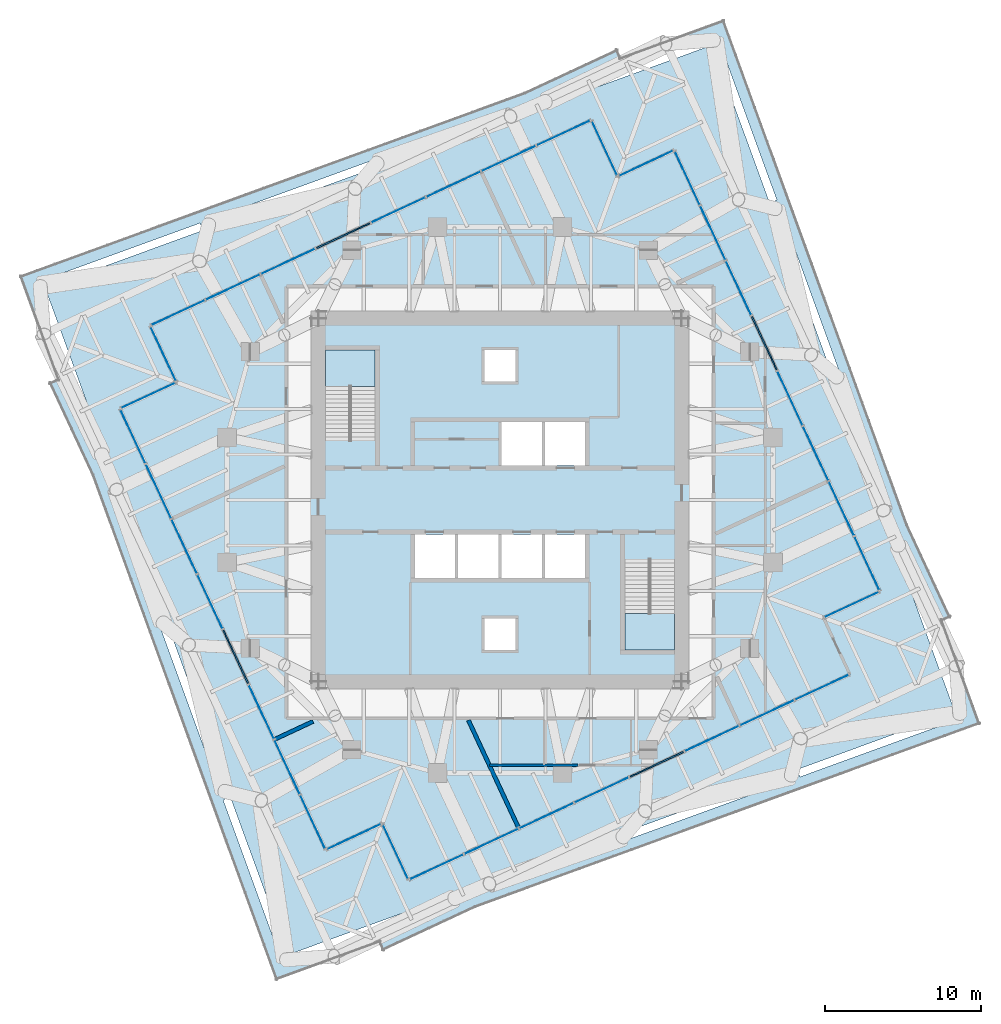
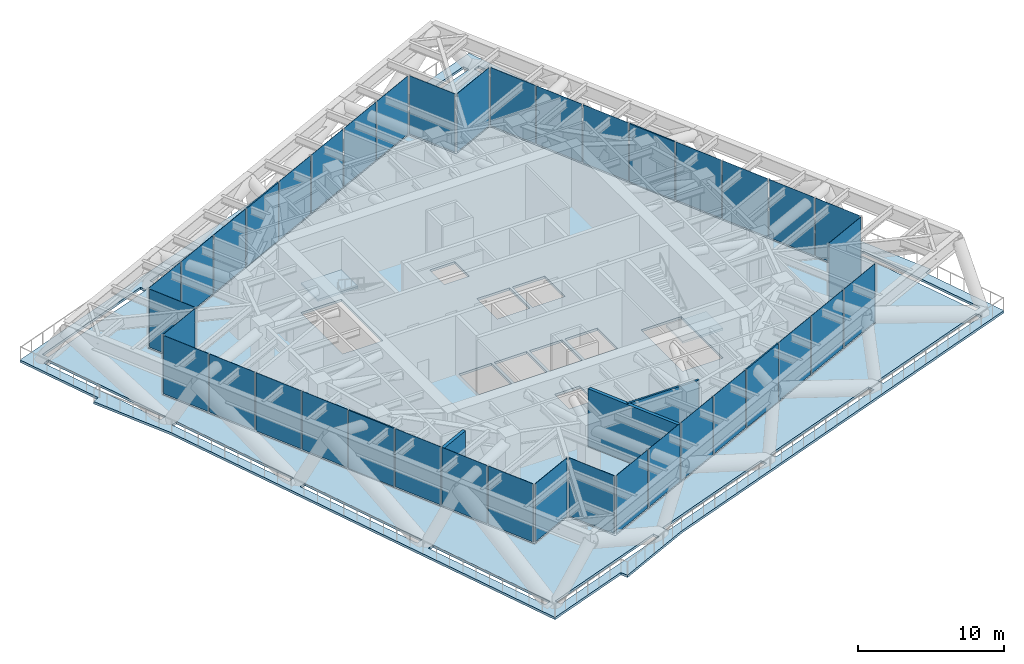
# One storey, part 8 of 16: 39 plates, 4 slabs, 3 walls, 13 elements without a shape of their own.
"""IFC4 building model written with IfcOpenShell, lengths in metres."""

from ifc_helpers import new_model, si_unit, direction, frame, frame_2d, origin, origin_2d, place, context, subcontext, project, spatial, polyline, rectangle, outline, extrude, material, layer, layer_set, type_object, element, aggregate, save


model = new_model("IFC4")

# Units and contexts
model_context = context("Model", 3, precision=1e-05, world=origin(), true_north=direction((0.0, 1.0)))
body_context = subcontext(model_context, "Body", "Model", "MODEL_VIEW")
ifc_project = project(units=[si_unit("LENGTHUNIT", "METRE"), si_unit("AREAUNIT", "SQUARE_METRE"), si_unit("VOLUMEUNIT", "CUBIC_METRE"), si_unit("PLANEANGLEUNIT", "RADIAN"), si_unit("MASSUNIT", "GRAM", prefix="KILO")], contexts=[model_context])

# Site, building, storey
site_placement = place(None, origin())
site = spatial("IfcSite", under=ifc_project, at=site_placement, CompositionType="ELEMENT")
building_placement = place(site_placement, origin())
building = spatial("IfcBuilding", under=site, at=building_placement, Name="Torsade Residences", CompositionType="ELEMENT")
storey_placement = place(building_placement, frame((0.0, 0.0, 171.0)))
storey = spatial("IfcBuildingStorey", under=building, at=storey_placement, Name="L47", CompositionType="ELEMENT", Elevation=171.0)

# Curtain wall, plates
ifc_material_1 = material(Name="Aluminium and glass", Category="aluminium")
curtain_wall_type = type_object("IfcCurtainWallType", Name="TRANSFER LEVEL CURTAIN WALL LOW ZONE", PredefinedType="NOTDEFINED", material=ifc_material_1)
curtain_wall_1_placement = place(storey_placement, origin())
curtain_wall_1 = element("IfcCurtainWall", 1, at=curtain_wall_1_placement, inside=storey, type_object=curtain_wall_type, Name="Curtain wall L47 face 1", PredefinedType="NOTDEFINED")
ifc_material_2 = material(Name="Laminated glass", Category="glass")
ifc_layer_1 = layer(ifc_material_2, 0.02392578125)
ifc_layer_set_1 = layer_set([ifc_layer_1], Name="Laminated glass")
plate_type_1 = type_object("IfcPlateType", Name="CLEAR GLASS PANEL", PredefinedType="CURTAIN_PANEL", material=ifc_layer_set_1)
plate_1_placement = place(storey_placement, frame((35.934814453125, 6.478271484375, 0.1201171875), z_axis=(0.0, 0.0, 1.0), x_axis=(0.906307784426, 0.42261826734, 0.0)))
plate_1 = element("IfcPlate", 2, at=plate_1_placement, type_object=plate_type_1, Name="Panel 1", PredefinedType="CURTAIN_PANEL", context=body_context, shape_type="SweptSolid", body=[
    extrude(rectangle(XDim=3.75, YDim=0.02392578125, at=origin_2d()), origin(), (0.0, 0.0, 1.0), 4.8798828125),
])
plate_2_placement = place(storey_placement, frame((39.44677734375, 8.11572265625, 0.1201171875), z_axis=(0.0, 0.0, 1.0), x_axis=(0.906307784426, 0.42261826734, 0.0)))
plate_2 = element("IfcPlate", 3, at=plate_2_placement, type_object=plate_type_1, Name="Panel 2", PredefinedType="CURTAIN_PANEL", context=body_context, shape_type="SweptSolid", body=[
    extrude(rectangle(XDim=3.800048828125, YDim=0.02392578125, at=origin_2d()), origin(), (0.0, 0.0, 1.0), 4.8798828125),
])
plate_3_placement = place(storey_placement, frame((42.9814453125, 9.76416015625, 0.1201171875), z_axis=(0.0, 0.0, 1.0), x_axis=(0.906307784426, 0.42261826734, 0.0)))
plate_3 = element("IfcPlate", 4, at=plate_3_placement, type_object=plate_type_1, Name="Panel 3", PredefinedType="CURTAIN_PANEL", context=body_context, shape_type="SweptSolid", body=[
    extrude(rectangle(XDim=3.800048828125, YDim=0.02392578125, at=origin_2d()), origin(), (0.0, 0.0, 1.0), 4.8798828125),
])
plate_4_placement = place(storey_placement, frame((46.51611328125, 11.412353515625, 0.1201171875), z_axis=(0.0, 0.0, 1.0), x_axis=(0.906307784426, 0.42261826734, 0.0)))
plate_4 = element("IfcPlate", 5, at=plate_4_placement, type_object=plate_type_1, Name="Panel 4", PredefinedType="CURTAIN_PANEL", context=body_context, shape_type="SweptSolid", body=[
    extrude(rectangle(XDim=3.800048828125, YDim=0.02392578125, at=origin_2d()), origin(), (0.0, 0.0, 1.0), 4.8798828125),
])
plate_5_placement = place(storey_placement, frame((53.585205078125, 14.708740234375, 0.1201171875), z_axis=(0.0, 0.0, 1.0), x_axis=(0.906307784426, 0.42261826734, 0.0)))
plate_5 = element("IfcPlate", 6, at=plate_5_placement, type_object=plate_type_1, Name="Panel 6", PredefinedType="CURTAIN_PANEL", context=body_context, shape_type="SweptSolid", body=[
    extrude(rectangle(XDim=3.800048828125, YDim=0.02392578125, at=origin_2d()), origin(), (0.0, 0.0, 1.0), 4.8798828125),
])
plate_6_placement = place(storey_placement, frame((57.119873046875, 16.35693359375, 0.1201171875), z_axis=(0.0, 0.0, 1.0), x_axis=(0.906307784426, 0.42261826734, 0.0)))
plate_6 = element("IfcPlate", 7, at=plate_6_placement, type_object=plate_type_1, Name="Panel 7", PredefinedType="CURTAIN_PANEL", context=body_context, shape_type="SweptSolid", body=[
    extrude(rectangle(XDim=3.800048828125, YDim=0.02392578125, at=origin_2d()), origin(), (0.0, 0.0, 1.0), 4.8798828125),
])
plate_7_placement = place(storey_placement, frame((60.6318359375, 17.99462890625, 0.1201171875), z_axis=(0.0, 0.0, 1.0), x_axis=(0.906307784426, 0.42261826734, 0.0)))
plate_7 = element("IfcPlate", 8, at=plate_7_placement, type_object=plate_type_1, Name="Panel 8", PredefinedType="CURTAIN_PANEL", context=body_context, shape_type="SweptSolid", body=[
    extrude(rectangle(XDim=3.75, YDim=0.02392578125, at=origin_2d()), origin(), (0.0, 0.0, 1.0), 4.8798828125),
])

# Curtain wall, plate
curtain_wall_2_placement = place(storey_placement, origin())
curtain_wall_2 = element("IfcCurtainWall", 9, at=curtain_wall_2_placement, inside=storey, type_object=curtain_wall_type, Name="Curtain wall L47 face 3", PredefinedType="NOTDEFINED")
plate_8_placement = place(storey_placement, frame((62.5439453125, 23.299560546875, 0.1201171875), z_axis=(0.0, 0.0, 1.0), x_axis=(0.906307829567, 0.422618170534, 0.0)))
plate_8 = element("IfcPlate", 10, at=plate_8_placement, type_object=plate_type_1, Name="Panel 1", PredefinedType="CURTAIN_PANEL", context=body_context, shape_type="SweptSolid", body=[
    extrude(rectangle(XDim=3.800048828125, YDim=0.02392578125, at=origin_2d()), origin(), (0.0, 0.0, 1.0), 4.8798828125),
])
aggregate(curtain_wall_2, [plate_8])

# Curtain wall, plates
curtain_wall_3_placement = place(storey_placement, origin())
curtain_wall_3 = element("IfcCurtainWall", 11, at=curtain_wall_3_placement, inside=storey, type_object=curtain_wall_type, Name="Curtain wall L47 face 4", PredefinedType="NOTDEFINED")
plate_9_placement = place(storey_placement, frame((63.521728515625, 25.934814453125, 0.1201171875), z_axis=(0.0, 0.0, 1.0), x_axis=(-0.42261826734, 0.906307784426, 0.0)))
plate_9 = element("IfcPlate", 12, at=plate_9_placement, type_object=plate_type_1, Name="Panel 1", PredefinedType="CURTAIN_PANEL", context=body_context, shape_type="SweptSolid", body=[
    extrude(rectangle(XDim=3.75, YDim=0.02392578125, at=origin_2d()), origin(), (0.0, 0.0, 1.0), 4.8798828125),
])
plate_10_placement = place(storey_placement, frame((61.88427734375, 29.44677734375, 0.1201171875), z_axis=(0.0, 0.0, 1.0), x_axis=(-0.42261826734, 0.906307784426, 0.0)))
plate_10 = element("IfcPlate", 13, at=plate_10_placement, type_object=plate_type_1, Name="Panel 2", PredefinedType="CURTAIN_PANEL", context=body_context, shape_type="SweptSolid", body=[
    extrude(rectangle(XDim=3.800048828125, YDim=0.02392578125, at=origin_2d()), origin(), (0.0, 0.0, 1.0), 4.8798828125),
])
plate_11_placement = place(storey_placement, frame((60.23583984375, 32.9814453125, 0.1201171875), z_axis=(0.0, 0.0, 1.0), x_axis=(-0.42261826734, 0.906307784426, 0.0)))
plate_11 = element("IfcPlate", 14, at=plate_11_placement, type_object=plate_type_1, Name="Panel 3", PredefinedType="CURTAIN_PANEL", context=body_context, shape_type="SweptSolid", body=[
    extrude(rectangle(XDim=3.800048828125, YDim=0.02392578125, at=origin_2d()), origin(), (0.0, 0.0, 1.0), 4.8798828125),
])
plate_12_placement = place(storey_placement, frame((58.587646484375, 36.51611328125, 0.1201171875), z_axis=(0.0, 0.0, 1.0), x_axis=(-0.42261826734, 0.906307784426, 0.0)))
plate_12 = element("IfcPlate", 15, at=plate_12_placement, type_object=plate_type_1, Name="Panel 4", PredefinedType="CURTAIN_PANEL", context=body_context, shape_type="SweptSolid", body=[
    extrude(rectangle(XDim=3.800048828125, YDim=0.02392578125, at=origin_2d()), origin(), (0.0, 0.0, 1.0), 4.8798828125),
])
plate_13_placement = place(storey_placement, frame((55.291259765625, 43.585205078125, 0.1201171875), z_axis=(0.0, 0.0, 1.0), x_axis=(-0.42261826734, 0.906307784426, 0.0)))
plate_13 = element("IfcPlate", 16, at=plate_13_placement, type_object=plate_type_1, Name="Panel 6", PredefinedType="CURTAIN_PANEL", context=body_context, shape_type="SweptSolid", body=[
    extrude(rectangle(XDim=3.800048828125, YDim=0.02392578125, at=origin_2d()), origin(), (0.0, 0.0, 1.0), 4.8798828125),
])
plate_14_placement = place(storey_placement, frame((53.64306640625, 47.119873046875, 0.1201171875), z_axis=(0.0, 0.0, 1.0), x_axis=(-0.42261826734, 0.906307784426, 0.0)))
plate_14 = element("IfcPlate", 17, at=plate_14_placement, type_object=plate_type_1, Name="Panel 7", PredefinedType="CURTAIN_PANEL", context=body_context, shape_type="SweptSolid", body=[
    extrude(rectangle(XDim=3.800048828125, YDim=0.02392578125, at=origin_2d()), origin(), (0.0, 0.0, 1.0), 4.8798828125),
])
plate_15_placement = place(storey_placement, frame((52.00537109375, 50.6318359375, 0.1201171875), z_axis=(0.0, 0.0, 1.0), x_axis=(-0.42261826734, 0.906307784426, 0.0)))
plate_15 = element("IfcPlate", 18, at=plate_15_placement, type_object=plate_type_1, Name="Panel 8", PredefinedType="CURTAIN_PANEL", context=body_context, shape_type="SweptSolid", body=[
    extrude(rectangle(XDim=3.75, YDim=0.02392578125, at=origin_2d()), origin(), (0.0, 0.0, 1.0), 4.8798828125),
])

# Curtain wall, plate
curtain_wall_4_placement = place(storey_placement, origin())
curtain_wall_4 = element("IfcCurtainWall", 19, at=curtain_wall_4_placement, inside=storey, type_object=curtain_wall_type, Name="Curtain wall L47 face 5", PredefinedType="NOTDEFINED")
plate_16_placement = place(storey_placement, frame((49.358154296875, 51.576416015625, 0.1201171875), z_axis=(0.0, 0.0, 1.0), x_axis=(-0.90630778492, -0.42261826628, 0.0)))
plate_16 = element("IfcPlate", 20, at=plate_16_placement, type_object=plate_type_1, Name="Panel 1", PredefinedType="CURTAIN_PANEL", context=body_context, shape_type="SweptSolid", body=[
    extrude(rectangle(XDim=3.800048828125, YDim=0.02392578125, at=origin_2d()), origin(), (0.0, 0.0, 1.0), 4.8798828125),
])
aggregate(curtain_wall_4, [plate_16])

curtain_wall_5_placement = place(storey_placement, origin())
curtain_wall_5 = element("IfcCurtainWall", 21, at=curtain_wall_5_placement, inside=storey, type_object=curtain_wall_type, Name="Curtain wall L47 face 6", PredefinedType="NOTDEFINED")
plate_17_placement = place(storey_placement, frame((46.700439453125, 52.5439453125, 0.1201171875), z_axis=(0.0, 0.0, 1.0), x_axis=(-0.422618170534, 0.906307829567, 0.0)))
plate_17 = element("IfcPlate", 22, at=plate_17_placement, type_object=plate_type_1, Name="Panel 1", PredefinedType="CURTAIN_PANEL", context=body_context, shape_type="SweptSolid", body=[
    extrude(rectangle(XDim=3.800048828125, YDim=0.02392578125, at=origin_2d()), origin(), (0.0, 0.0, 1.0), 4.8798828125),
])
aggregate(curtain_wall_5, [plate_17])

# Curtain wall, plates
curtain_wall_6_placement = place(storey_placement, origin())
curtain_wall_6 = element("IfcCurtainWall", 23, at=curtain_wall_6_placement, inside=storey, type_object=curtain_wall_type, Name="Curtain wall L47 face 7", PredefinedType="NOTDEFINED")
plate_18_placement = place(storey_placement, frame((44.065185546875, 53.521728515625, 0.1201171875), z_axis=(0.0, 0.0, 1.0), x_axis=(-0.906307784426, -0.42261826734, 0.0)))
plate_18 = element("IfcPlate", 24, at=plate_18_placement, type_object=plate_type_1, Name="Panel 1", PredefinedType="CURTAIN_PANEL", context=body_context, shape_type="SweptSolid", body=[
    extrude(rectangle(XDim=3.75, YDim=0.02392578125, at=origin_2d()), origin(), (0.0, 0.0, 1.0), 4.8798828125),
])
plate_19_placement = place(storey_placement, frame((40.55322265625, 51.88427734375, 0.1201171875), z_axis=(0.0, 0.0, 1.0), x_axis=(-0.906307784426, -0.42261826734, 0.0)))
plate_19 = element("IfcPlate", 25, at=plate_19_placement, type_object=plate_type_1, Name="Panel 2", PredefinedType="CURTAIN_PANEL", context=body_context, shape_type="SweptSolid", body=[
    extrude(rectangle(XDim=3.800048828125, YDim=0.02392578125, at=origin_2d()), origin(), (0.0, 0.0, 1.0), 4.8798828125),
])
plate_20_placement = place(storey_placement, frame((37.0185546875, 50.23583984375, 0.1201171875), z_axis=(0.0, 0.0, 1.0), x_axis=(-0.906307784426, -0.42261826734, 0.0)))
plate_20 = element("IfcPlate", 26, at=plate_20_placement, type_object=plate_type_1, Name="Panel 3", PredefinedType="CURTAIN_PANEL", context=body_context, shape_type="SweptSolid", body=[
    extrude(rectangle(XDim=3.800048828125, YDim=0.02392578125, at=origin_2d()), origin(), (0.0, 0.0, 1.0), 4.8798828125),
])
plate_21_placement = place(storey_placement, frame((33.48388671875, 48.587646484375, 0.1201171875), z_axis=(0.0, 0.0, 1.0), x_axis=(-0.906307784426, -0.42261826734, 0.0)))
plate_21 = element("IfcPlate", 27, at=plate_21_placement, type_object=plate_type_1, Name="Panel 4", PredefinedType="CURTAIN_PANEL", context=body_context, shape_type="SweptSolid", body=[
    extrude(rectangle(XDim=3.800048828125, YDim=0.02392578125, at=origin_2d()), origin(), (0.0, 0.0, 1.0), 4.8798828125),
])
plate_22_placement = place(storey_placement, frame((26.414794921875, 45.291259765625, 0.1201171875), z_axis=(0.0, 0.0, 1.0), x_axis=(-0.906307784426, -0.42261826734, 0.0)))
plate_22 = element("IfcPlate", 28, at=plate_22_placement, type_object=plate_type_1, Name="Panel 6", PredefinedType="CURTAIN_PANEL", context=body_context, shape_type="SweptSolid", body=[
    extrude(rectangle(XDim=3.800048828125, YDim=0.02392578125, at=origin_2d()), origin(), (0.0, 0.0, 1.0), 4.8798828125),
])
plate_23_placement = place(storey_placement, frame((22.880126953125, 43.64306640625, 0.1201171875), z_axis=(0.0, 0.0, 1.0), x_axis=(-0.906307784426, -0.42261826734, 0.0)))
plate_23 = element("IfcPlate", 29, at=plate_23_placement, type_object=plate_type_1, Name="Panel 7", PredefinedType="CURTAIN_PANEL", context=body_context, shape_type="SweptSolid", body=[
    extrude(rectangle(XDim=3.800048828125, YDim=0.02392578125, at=origin_2d()), origin(), (0.0, 0.0, 1.0), 4.8798828125),
])
plate_24_placement = place(storey_placement, frame((19.3681640625, 42.00537109375, 0.1201171875), z_axis=(0.0, 0.0, 1.0), x_axis=(-0.906307784426, -0.42261826734, 0.0)))
plate_24 = element("IfcPlate", 30, at=plate_24_placement, type_object=plate_type_1, Name="Panel 8", PredefinedType="CURTAIN_PANEL", context=body_context, shape_type="SweptSolid", body=[
    extrude(rectangle(XDim=3.75, YDim=0.02392578125, at=origin_2d()), origin(), (0.0, 0.0, 1.0), 4.8798828125),
])

# Curtain wall, plate
curtain_wall_7_placement = place(storey_placement, origin())
curtain_wall_7 = element("IfcCurtainWall", 31, at=curtain_wall_7_placement, inside=storey, type_object=curtain_wall_type, Name="Curtain wall L47 face 8", PredefinedType="NOTDEFINED")
plate_25_placement = place(storey_placement, frame((18.423583984375, 39.358154296875, 0.1201171875), z_axis=(0.0, 0.0, 1.0), x_axis=(0.42261826628, -0.90630778492, 0.0)))
plate_25 = element("IfcPlate", 32, at=plate_25_placement, type_object=plate_type_1, Name="Panel 1", PredefinedType="CURTAIN_PANEL", context=body_context, shape_type="SweptSolid", body=[
    extrude(rectangle(XDim=3.800048828125, YDim=0.02392578125, at=origin_2d()), origin(), (0.0, 0.0, 1.0), 4.8798828125),
])
aggregate(curtain_wall_7, [plate_25])

curtain_wall_8_placement = place(storey_placement, origin())
curtain_wall_8 = element("IfcCurtainWall", 33, at=curtain_wall_8_placement, inside=storey, type_object=curtain_wall_type, Name="Curtain wall L47 face 9", PredefinedType="NOTDEFINED")
plate_26_placement = place(storey_placement, frame((17.4560546875, 36.700439453125, 0.1201171875), z_axis=(0.0, 0.0, 1.0), x_axis=(-0.906307829567, -0.422618170534, 0.0)))
plate_26 = element("IfcPlate", 34, at=plate_26_placement, type_object=plate_type_1, Name="Panel 1", PredefinedType="CURTAIN_PANEL", context=body_context, shape_type="SweptSolid", body=[
    extrude(rectangle(XDim=3.800048828125, YDim=0.02392578125, at=origin_2d()), origin(), (0.0, 0.0, 1.0), 4.8798828125),
])
aggregate(curtain_wall_8, [plate_26])

# Curtain wall, plates
curtain_wall_9_placement = place(storey_placement, origin())
curtain_wall_9 = element("IfcCurtainWall", 35, at=curtain_wall_9_placement, inside=storey, type_object=curtain_wall_type, Name="Curtain wall L47 face 10", PredefinedType="NOTDEFINED")
plate_27_placement = place(storey_placement, frame((16.478271484375, 34.065185546875, 0.1201171875), z_axis=(0.0, 0.0, 1.0), x_axis=(0.42261826734, -0.906307784426, 0.0)))
plate_27 = element("IfcPlate", 36, at=plate_27_placement, type_object=plate_type_1, Name="Panel 1", PredefinedType="CURTAIN_PANEL", context=body_context, shape_type="SweptSolid", body=[
    extrude(rectangle(XDim=3.75, YDim=0.02392578125, at=origin_2d()), origin(), (0.0, 0.0, 1.0), 4.8798828125),
])
plate_28_placement = place(storey_placement, frame((18.11572265625, 30.55322265625, 0.1201171875), z_axis=(0.0, 0.0, 1.0), x_axis=(0.42261826734, -0.906307784426, 0.0)))
plate_28 = element("IfcPlate", 37, at=plate_28_placement, type_object=plate_type_1, Name="Panel 2", PredefinedType="CURTAIN_PANEL", context=body_context, shape_type="SweptSolid", body=[
    extrude(rectangle(XDim=3.800048828125, YDim=0.02392578125, at=origin_2d()), origin(), (0.0, 0.0, 1.0), 4.8798828125),
])
plate_29_placement = place(storey_placement, frame((19.76416015625, 27.0185546875, 0.1201171875), z_axis=(0.0, 0.0, 1.0), x_axis=(0.42261826734, -0.906307784426, 0.0)))
plate_29 = element("IfcPlate", 38, at=plate_29_placement, type_object=plate_type_1, Name="Panel 3", PredefinedType="CURTAIN_PANEL", context=body_context, shape_type="SweptSolid", body=[
    extrude(rectangle(XDim=3.800048828125, YDim=0.02392578125, at=origin_2d()), origin(), (0.0, 0.0, 1.0), 4.8798828125),
])
plate_30_placement = place(storey_placement, frame((21.412353515625, 23.48388671875, 0.1201171875), z_axis=(0.0, 0.0, 1.0), x_axis=(0.42261826734, -0.906307784426, 0.0)))
plate_30 = element("IfcPlate", 39, at=plate_30_placement, type_object=plate_type_1, Name="Panel 4", PredefinedType="CURTAIN_PANEL", context=body_context, shape_type="SweptSolid", body=[
    extrude(rectangle(XDim=3.800048828125, YDim=0.02392578125, at=origin_2d()), origin(), (0.0, 0.0, 1.0), 4.8798828125),
])
plate_31_placement = place(storey_placement, frame((24.708740234375, 16.414794921875, 0.1201171875), z_axis=(0.0, 0.0, 1.0), x_axis=(0.42261826734, -0.906307784426, 0.0)))
plate_31 = element("IfcPlate", 40, at=plate_31_placement, type_object=plate_type_1, Name="Panel 6", PredefinedType="CURTAIN_PANEL", context=body_context, shape_type="SweptSolid", body=[
    extrude(rectangle(XDim=3.800048828125, YDim=0.02392578125, at=origin_2d()), origin(), (0.0, 0.0, 1.0), 4.8798828125),
])
plate_32_placement = place(storey_placement, frame((26.35693359375, 12.880126953125, 0.1201171875), z_axis=(0.0, 0.0, 1.0), x_axis=(0.42261826734, -0.906307784426, 0.0)))
plate_32 = element("IfcPlate", 41, at=plate_32_placement, type_object=plate_type_1, Name="Panel 7", PredefinedType="CURTAIN_PANEL", context=body_context, shape_type="SweptSolid", body=[
    extrude(rectangle(XDim=3.800048828125, YDim=0.02392578125, at=origin_2d()), origin(), (0.0, 0.0, 1.0), 4.8798828125),
])
plate_33_placement = place(storey_placement, frame((27.99462890625, 9.3681640625, 0.1201171875), z_axis=(0.0, 0.0, 1.0), x_axis=(0.42261826734, -0.906307784426, 0.0)))
plate_33 = element("IfcPlate", 42, at=plate_33_placement, type_object=plate_type_1, Name="Panel 8", PredefinedType="CURTAIN_PANEL", context=body_context, shape_type="SweptSolid", body=[
    extrude(rectangle(XDim=3.75, YDim=0.02392578125, at=origin_2d()), origin(), (0.0, 0.0, 1.0), 4.8798828125),
])

# Curtain wall, plate
curtain_wall_10_placement = place(storey_placement, origin())
curtain_wall_10 = element("IfcCurtainWall", 43, at=curtain_wall_10_placement, inside=storey, type_object=curtain_wall_type, Name="Curtain wall L47 face 11", PredefinedType="NOTDEFINED")
plate_34_placement = place(storey_placement, frame((30.641845703125, 8.423583984375, 0.1201171875), z_axis=(0.0, 0.0, 1.0), x_axis=(0.90630778492, 0.42261826628, 0.0)))
plate_34 = element("IfcPlate", 44, at=plate_34_placement, type_object=plate_type_1, Name="Panel 1", PredefinedType="CURTAIN_PANEL", context=body_context, shape_type="SweptSolid", body=[
    extrude(rectangle(XDim=3.800048828125, YDim=0.02392578125, at=origin_2d()), origin(), (0.0, 0.0, 1.0), 4.8798828125),
])
aggregate(curtain_wall_10, [plate_34])

curtain_wall_11_placement = place(storey_placement, origin())
curtain_wall_11 = element("IfcCurtainWall", 45, at=curtain_wall_11_placement, inside=storey, type_object=curtain_wall_type, Name="Curtain wall L47 face 12", PredefinedType="NOTDEFINED")
plate_35_placement = place(storey_placement, frame((33.299560546875, 7.4560546875, 0.1201171875), z_axis=(0.0, 0.0, 1.0), x_axis=(0.422618170534, -0.906307829567, 0.0)))
plate_35 = element("IfcPlate", 46, at=plate_35_placement, type_object=plate_type_1, Name="Panel 1", PredefinedType="CURTAIN_PANEL", context=body_context, shape_type="SweptSolid", body=[
    extrude(rectangle(XDim=3.800048828125, YDim=0.02392578125, at=origin_2d()), origin(), (0.0, 0.0, 1.0), 4.8798828125),
])
aggregate(curtain_wall_11, [plate_35])

# Plate
ifc_material_3 = material(Name="Aluminium composite spandrel panel", Category="aluminium")
ifc_layer_2 = layer(ifc_material_3, 0.10009765625)
ifc_layer_set_2 = layer_set([ifc_layer_2], Name="Aluminium composite spandrel panel")
plate_type_2 = type_object("IfcPlateType", Name="OPAQUE SPANDREL PANEL", PredefinedType="CURTAIN_PANEL", material=ifc_layer_set_2)
plate_36_placement = place(storey_placement, frame((50.050537109375, 13.060546875, 0.1201171875), z_axis=(0.0, 0.0, 1.0), x_axis=(0.906307784426, 0.42261826734, 0.0)))
plate_36 = element("IfcPlate", 47, at=plate_36_placement, type_object=plate_type_2, Name="Panel 5", PredefinedType="CURTAIN_PANEL", context=body_context, shape_type="SweptSolid", body=[
    extrude(rectangle(XDim=3.800048828125, YDim=0.10009765625, at=origin_2d()), origin(), (0.0, 0.0, 1.0), 4.8798828125),
])

aggregate(curtain_wall_1, [plate_1, plate_2, plate_3, plate_4, plate_36, plate_5, plate_6, plate_7])

plate_37_placement = place(storey_placement, frame((56.939453125, 40.050537109375, 0.1201171875), z_axis=(0.0, 0.0, 1.0), x_axis=(-0.42261826734, 0.906307784426, 0.0)))
plate_37 = element("IfcPlate", 48, at=plate_37_placement, type_object=plate_type_2, Name="Panel 5", PredefinedType="CURTAIN_PANEL", context=body_context, shape_type="SweptSolid", body=[
    extrude(rectangle(XDim=3.800048828125, YDim=0.10009765625, at=origin_2d()), origin(), (0.0, 0.0, 1.0), 4.8798828125),
])

aggregate(curtain_wall_3, [plate_9, plate_10, plate_11, plate_12, plate_37, plate_13, plate_14, plate_15])

plate_38_placement = place(storey_placement, frame((29.949462890625, 46.939453125, 0.1201171875), z_axis=(0.0, 0.0, 1.0), x_axis=(-0.906307784426, -0.42261826734, 0.0)))
plate_38 = element("IfcPlate", 49, at=plate_38_placement, type_object=plate_type_2, Name="Panel 5", PredefinedType="CURTAIN_PANEL", context=body_context, shape_type="SweptSolid", body=[
    extrude(rectangle(XDim=3.800048828125, YDim=0.10009765625, at=origin_2d()), origin(), (0.0, 0.0, 1.0), 4.8798828125),
])

aggregate(curtain_wall_6, [plate_18, plate_19, plate_20, plate_21, plate_38, plate_22, plate_23, plate_24])

plate_39_placement = place(storey_placement, frame((23.060546875, 19.949462890625, 0.1201171875), z_axis=(0.0, 0.0, 1.0), x_axis=(0.42261826734, -0.906307784426, 0.0)))
plate_39 = element("IfcPlate", 50, at=plate_39_placement, type_object=plate_type_2, Name="Panel 5", PredefinedType="CURTAIN_PANEL", context=body_context, shape_type="SweptSolid", body=[
    extrude(rectangle(XDim=3.800048828125, YDim=0.10009765625, at=origin_2d()), origin(), (0.0, 0.0, 1.0), 4.8798828125),
])

aggregate(curtain_wall_9, [plate_27, plate_28, plate_29, plate_30, plate_39, plate_31, plate_32, plate_33])

# Stair, slab
ifc_material_4 = material(Name="Precast concrete 40 MPa", Category="concrete")
stair_type = type_object("IfcStairType", Name="HALF-TURN FIRE STAIR 1500x5000", PredefinedType="HALF_TURN_STAIR", material=ifc_material_4)
stair_1_placement = place(storey_placement, origin())
stair_1 = element("IfcStair", 51, at=stair_1_placement, inside=storey, type_object=stair_type, Name="Stair ST1 L47", PredefinedType="HALF_TURN_STAIR")
ifc_material_5 = material(Name="Precast concrete 40 MPa", Category="concrete")
ifc_layer_3 = layer(ifc_material_5, 0.179931640625)
ifc_layer_set_3 = layer_set([ifc_layer_3], Name="Precast concrete 40 MPa")
slab_type_1 = type_object("IfcSlabType", Name="PRECAST STAIR LANDING 180", PredefinedType="LANDING", material=ifc_layer_set_3)
slab_1_placement = place(storey_placement, frame((0.0, 0.0, 2.320068359375)))
slab_1 = element("IfcSlab", 52, at=slab_1_placement, type_object=slab_type_1, Name="ST1 landing 1", PredefinedType="LANDING", context=body_context, shape_type="SweptSolid", body=[
    extrude(outline(polyline([(28.800048828125, 37.2900390625), (32.0, 37.2900390625), (32.0, 39.60009765625), (28.800048828125, 39.60009765625), (28.800048828125, 37.2900390625)])), origin(), (0.0, 0.0, 1.0), 0.179931640625),
])
aggregate(stair_1, [slab_1])

stair_2_placement = place(storey_placement, origin())
stair_2 = element("IfcStair", 53, at=stair_2_placement, inside=storey, type_object=stair_type, Name="Stair ST2 L47", PredefinedType="HALF_TURN_STAIR")
slab_2_placement = place(storey_placement, frame((0.0, 0.0, 2.320068359375)))
slab_2 = element("IfcSlab", 54, at=slab_2_placement, type_object=slab_type_1, Name="ST2 landing 1", PredefinedType="LANDING", context=body_context, shape_type="SweptSolid", body=[
    extrude(outline(polyline([(48.0, 20.39990234375), (51.199951171875, 20.39990234375), (51.199951171875, 22.7099609375), (48.0, 22.7099609375), (48.0, 20.39990234375)])), origin(), (0.0, 0.0, 1.0), 0.179931640625),
])
aggregate(stair_2, [slab_2])

# Slabs
ifc_material_6 = material(Name="Concrete 40 MPa", Category="concrete")
ifc_layer_4 = layer(ifc_material_6, 0.199951171875)
ifc_layer_set_4 = layer_set([ifc_layer_4], Name="Concrete 40 MPa")
slab_type_2 = type_object("IfcSlabType", Name="TRANSFER FLOOR SLAB 200", PredefinedType="FLOOR", material=ifc_layer_set_4)
slab_3_placement = place(storey_placement, frame((0.0, 0.0, -0.199951171875)))
element("IfcSlab", 55, at=slab_3_placement, inside=storey, type_object=slab_type_2, Name="Floor slab L47", PredefinedType="FLOOR", context=body_context, shape_type="SweptSolid", body=[
    extrude(outline(polyline([(34.14501953125, 5.6435546875), (62.421630859375, 18.8291015625), (60.731201171875, 22.454345703125), (64.3564453125, 24.14501953125), (51.1708984375, 52.421630859375), (47.545654296875, 50.731201171875), (45.85498046875, 54.3564453125), (17.578369140625, 41.1708984375), (19.268798828125, 37.545654296875), (15.6435546875, 35.85498046875), (28.8291015625, 7.578369140625), (32.454345703125, 9.268798828125), (34.14501953125, 5.6435546875)]), holes=[polyline([(51.199951171875, 26.1201171875), (48.0, 26.1201171875), (48.0, 20.39990234375), (51.199951171875, 20.39990234375), (51.199951171875, 26.1201171875)]), polyline([(45.5, 27.800048828125), (42.89990234375, 27.800048828125), (42.89990234375, 25.0), (45.5, 25.0), (45.5, 27.800048828125)]), polyline([(45.5, 35.0), (42.89990234375, 35.0), (42.89990234375, 32.199951171875), (45.5, 32.199951171875), (45.5, 35.0)]), polyline([(42.699951171875, 25.0), (42.699951171875, 27.800048828125), (40.10009765625, 27.800048828125), (40.10009765625, 25.0), (42.699951171875, 25.0)]), polyline([(42.699951171875, 35.0), (40.10009765625, 35.0), (40.10009765625, 32.199951171875), (42.699951171875, 32.199951171875), (42.699951171875, 35.0)]), polyline([(41.0, 22.39990234375), (39.0, 22.39990234375), (39.0, 20.39990234375), (41.0, 20.39990234375), (41.0, 22.39990234375)]), polyline([(41.0, 37.60009765625), (41.0, 39.60009765625), (39.0, 39.60009765625), (39.0, 37.60009765625), (41.0, 37.60009765625)]), polyline([(39.89990234375, 25.0), (39.89990234375, 27.800048828125), (37.300048828125, 27.800048828125), (37.300048828125, 25.0), (39.89990234375, 25.0)]), polyline([(37.10009765625, 27.800048828125), (34.5, 27.800048828125), (34.5, 25.0), (37.10009765625, 25.0), (37.10009765625, 27.800048828125)]), polyline([(32.0, 33.8798828125), (32.0, 39.60009765625), (28.800048828125, 39.60009765625), (28.800048828125, 33.8798828125), (32.0, 33.8798828125)])]), origin(), (0.0, 0.0, 1.0), 0.199951171875),
])
ifc_material_7 = material(Name="Concrete 40 MPa", Category="concrete")
ifc_layer_5 = layer(ifc_material_7, 0.199951171875)
ifc_layer_set_5 = layer_set([ifc_layer_5], Name="Concrete 40 MPa")
slab_type_3 = type_object("IfcSlabType", Name="TRANSFER LEDGE SLAB 200", PredefinedType="ROOF", material=ifc_layer_set_5)
slab_4_placement = place(storey_placement, frame((0.0, 0.0, -0.199951171875)))
element("IfcSlab", 56, at=slab_4_placement, inside=storey, type_object=slab_type_3, Name="Transfer ledge slab L47 south-west", PredefinedType="ROOF", context=body_context, shape_type="SweptSolid", body=[
    extrude(outline(polyline([(13.881591796875, 31.588623046875), (25.65576171875, -0.760986328125), (32.25927734375, 1.642333984375), (32.50048828125, 1.125244140625), (38.411376953125, 3.881591796875), (70.760986328125, 15.65576171875), (68.357666015625, 22.25927734375), (68.874755859375, 22.50048828125), (66.118408203125, 28.411376953125), (54.34423828125, 60.760986328125), (47.74072265625, 58.357666015625), (47.49951171875, 58.874755859375), (41.588623046875, 56.118408203125), (9.239013671875, 44.34423828125), (11.642333984375, 37.74072265625), (11.125244140625, 37.49951171875), (13.881591796875, 31.588623046875)]), holes=[polyline([(69.073486328125, 16.637939453125), (69.543212890625, 16.808837890625), (65.9521484375, 26.675537109375), (65.482177734375, 26.504638671875), (69.073486328125, 16.637939453125)]), polyline([(59.057373046875, 12.726318359375), (59.228271484375, 12.25634765625), (69.094970703125, 15.84765625), (68.924072265625, 16.3173828125), (59.057373046875, 12.726318359375)]), polyline([(65.14013671875, 27.4443359375), (65.610107421875, 27.615234375), (62.018798828125, 37.482177734375), (61.549072265625, 37.31103515625), (65.14013671875, 27.4443359375)]), polyline([(60.731201171875, 22.454345703125), (64.3564453125, 24.14501953125), (51.1708984375, 52.421630859375), (47.545654296875, 50.731201171875), (45.85498046875, 54.3564453125), (17.578369140625, 41.1708984375), (19.268798828125, 37.545654296875), (15.6435546875, 35.85498046875), (28.8291015625, 7.578369140625), (32.454345703125, 9.268798828125), (34.14501953125, 5.6435546875), (62.421630859375, 18.8291015625), (60.731201171875, 22.454345703125)]), polyline([(61.20703125, 38.250732421875), (61.6767578125, 38.421875), (58.085693359375, 48.28857421875), (57.61572265625, 48.11767578125), (61.20703125, 38.250732421875)]), polyline([(48.250732421875, 8.79296875), (48.421875, 8.3232421875), (58.28857421875, 11.914306640625), (58.11767578125, 12.38427734375), (48.250732421875, 8.79296875)]), polyline([(57.273681640625, 49.057373046875), (57.74365234375, 49.228271484375), (54.15234375, 59.094970703125), (53.6826171875, 58.924072265625), (57.273681640625, 49.057373046875)]), polyline([(53.362060546875, 59.073486328125), (53.191162109375, 59.543212890625), (43.324462890625, 55.9521484375), (43.495361328125, 55.482177734375), (53.362060546875, 59.073486328125)]), polyline([(37.4443359375, 4.85986328125), (37.615234375, 4.389892578125), (47.482177734375, 7.981201171875), (47.31103515625, 8.450927734375), (37.4443359375, 4.85986328125)]), polyline([(42.5556640625, 55.14013671875), (42.384765625, 55.610107421875), (32.517822265625, 52.018798828125), (32.68896484375, 51.549072265625), (42.5556640625, 55.14013671875)]), polyline([(26.637939453125, 0.926513671875), (26.808837890625, 0.456787109375), (36.675537109375, 4.0478515625), (36.504638671875, 4.517822265625), (26.637939453125, 0.926513671875)]), polyline([(31.749267578125, 51.20703125), (31.578125, 51.6767578125), (21.71142578125, 48.085693359375), (21.88232421875, 47.61572265625), (31.749267578125, 51.20703125)]), polyline([(22.726318359375, 10.942626953125), (22.25634765625, 10.771728515625), (25.84765625, 0.905029296875), (26.3173828125, 1.075927734375), (22.726318359375, 10.942626953125)]), polyline([(18.79296875, 21.749267578125), (18.3232421875, 21.578125), (21.914306640625, 11.71142578125), (22.38427734375, 11.88232421875), (18.79296875, 21.749267578125)]), polyline([(20.942626953125, 47.273681640625), (20.771728515625, 47.74365234375), (10.905029296875, 44.15234375), (11.075927734375, 43.6826171875), (20.942626953125, 47.273681640625)]), polyline([(14.85986328125, 32.5556640625), (14.389892578125, 32.384765625), (17.981201171875, 22.517822265625), (18.450927734375, 22.68896484375), (14.85986328125, 32.5556640625)]), polyline([(10.926513671875, 43.362060546875), (10.456787109375, 43.191162109375), (14.0478515625, 33.324462890625), (14.517822265625, 33.495361328125), (10.926513671875, 43.362060546875)])]), origin(), (0.0, 0.0, 1.0), 0.199951171875),
])

# Walls
ifc_material_8 = material(Name="Masonry-lined stud party wall", Category="masonry")
ifc_layer_6 = layer(ifc_material_8, 0.25)
ifc_layer_set_6 = layer_set([ifc_layer_6], Name="Masonry-lined stud party wall")
wall_type_1 = type_object("IfcWallType", Name="PARTY WALL 250", PredefinedType="PARTITIONING", material=ifc_layer_set_6)
wall_1_placement = place(storey_placement, frame((41.214111328125, 8.93994140625, 0.0), z_axis=(0.0, 0.0, 1.0), x_axis=(-0.42261155821, 0.906310912914, 0.0)))
element("IfcWall", 57, at=wall_1_placement, inside=storey, type_object=wall_type_1, Name="Party wall L47", PredefinedType="PARTITIONING", context=body_context, shape_type="SweptSolid", body=[
    extrude(rectangle(XDim=7.661376953125, YDim=0.25, at=frame_2d((3.83056640625, 0.0))), origin(), (0.0, 0.0, 1.0), 4.85009765625),
])
wall_2_placement = place(storey_placement, frame((25.53271484375, 14.6474609375, 0.0), z_axis=(0.0, 0.0, 1.0), x_axis=(0.906301654208, 0.422631413384, 0.0)))
element("IfcWall", 58, at=wall_2_placement, inside=storey, type_object=wall_type_1, Name="Party wall L47", PredefinedType="PARTITIONING", context=body_context, shape_type="SweptSolid", body=[
    extrude(rectangle(XDim=2.73583984375, YDim=0.25, at=frame_2d((1.367919921875, 0.0))), origin(), (0.0, 0.0, 1.0), 4.85009765625),
])
ifc_material_9 = material(Name="Reinforced blockwork", Category="masonry")
ifc_layer_7 = layer(ifc_material_9, 0.14990234375)
ifc_layer_set_7 = layer_set([ifc_layer_7], Name="Reinforced blockwork")
wall_type_2 = type_object("IfcWallType", Name="SERVICE ROOM WALL 150", PredefinedType="SOLIDWALL", material=ifc_layer_set_7)
wall_3_placement = place(storey_placement, frame((44.98828125, 13.0, 0.0), z_axis=(0.0, 0.0, 1.0), x_axis=(-1.0, 0.0, 0.0)))
element("IfcWall", 59, at=wall_3_placement, inside=storey, type_object=wall_type_2, Name="Service room wall L47", PredefinedType="SOLIDWALL", context=body_context, shape_type="SweptSolid", body=[
    extrude(rectangle(XDim=5.66748046875, YDim=0.14990234375, at=frame_2d((2.833740234375, 0.0))), origin(), (0.0, 0.0, 1.0), 4.85009765625),
])

save(model, "model.ifc")
